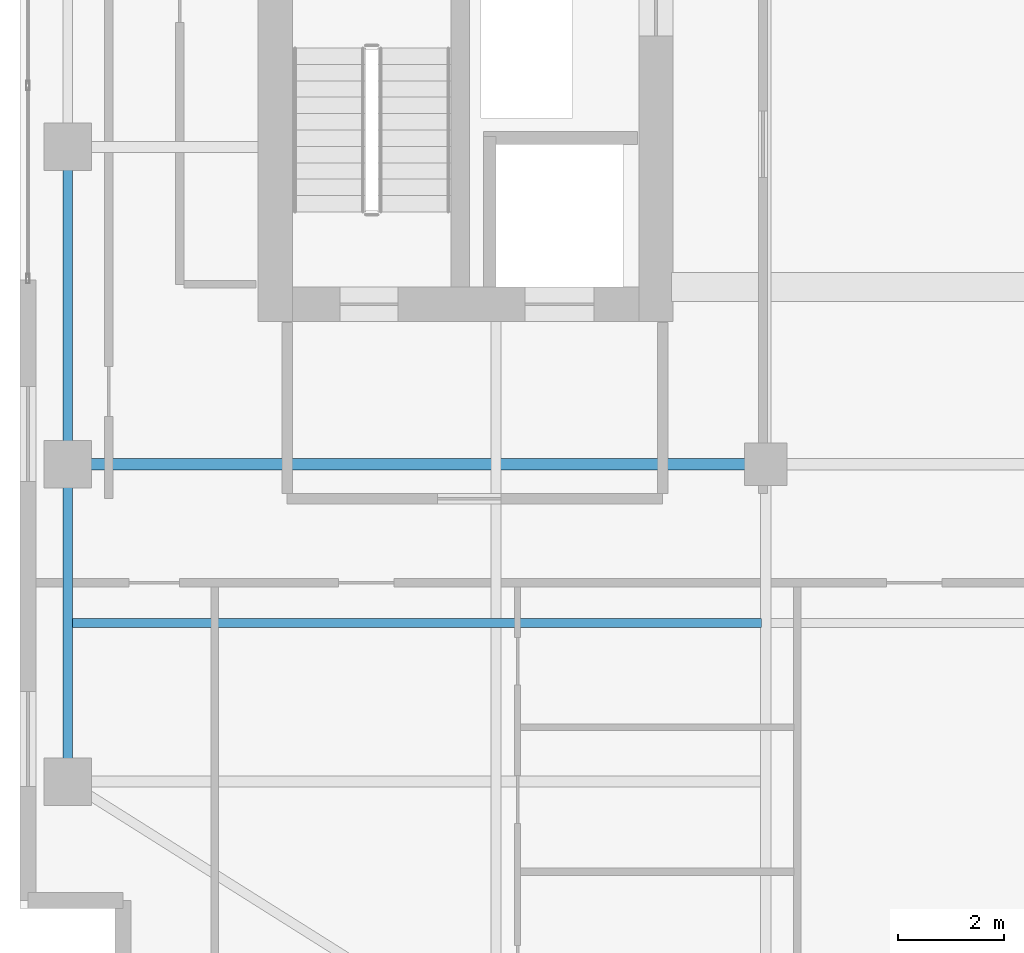
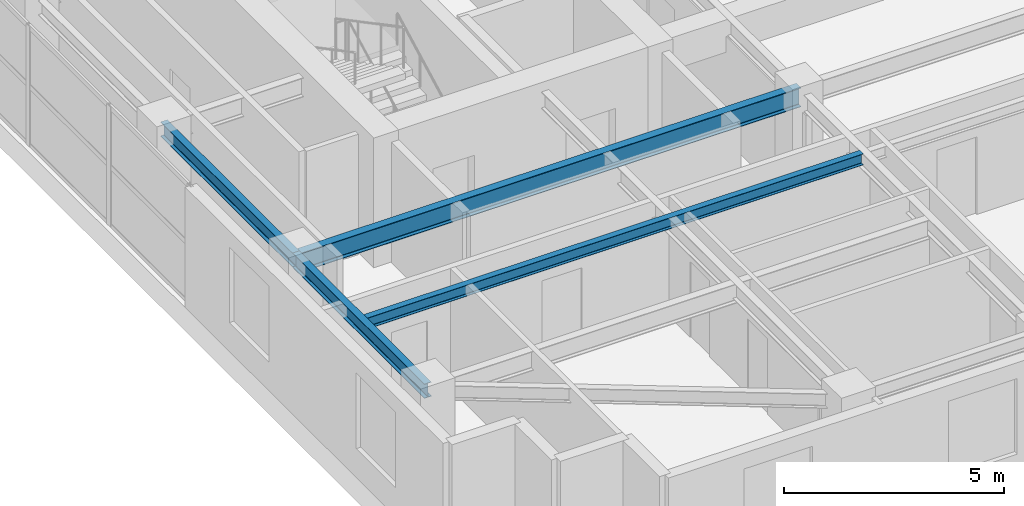
# One storey, part 3 of 24: 4 beams.
"""IFC4 building model written with IfcOpenShell, lengths in metres."""

from ifc_helpers import new_model, si_unit, direction, frame, origin, origin_2d, place, context, subcontext, project, spatial, i_section, extrude, source, transform, mapped, material, material_profile, profile_set, type_object, element, save


model = new_model("IFC4")

# Units and contexts
model_context = context("Model", 3, precision=1e-05, world=origin(), true_north=direction((0.0, 1.0)))
body_context = subcontext(model_context, "Body", "Model", "MODEL_VIEW")
ifc_project = project(units=[si_unit("LENGTHUNIT", "METRE"), si_unit("AREAUNIT", "SQUARE_METRE"), si_unit("VOLUMEUNIT", "CUBIC_METRE"), si_unit("PLANEANGLEUNIT", "RADIAN"), si_unit("MASSUNIT", "GRAM", prefix="KILO")], contexts=[model_context])

# Site, building, storey
site_placement = place(None, origin())
site = spatial("IfcSite", under=ifc_project, at=site_placement, CompositionType="ELEMENT")
building_placement = place(site_placement, origin())
building = spatial("IfcBuilding", under=site, at=building_placement, Name="Khoralis Quay Care Tower", CompositionType="ELEMENT")
storey_placement = place(building_placement, frame((0.0, 0.0, 155.699951171875)))
storey = spatial("IfcBuildingStorey", under=building, at=storey_placement, Name="L40", CompositionType="ELEMENT", Elevation=155.699951171875)

# Beams
ifc_material = material(Name="Steel S355", Category="steel")
ifc_material_profile_1 = material_profile(ifc_material, i_section(OverallWidth=0.179931640625, OverallDepth=0.39990234375, WebThickness=0.008544921875, FlangeThickness=0.013427734375, FilletRadius=0.02099609375, at=origin_2d()), Name="Steel S355")
ifc_profile_set_1 = profile_set([ifc_material_profile_1], Name="Steel S355")
beam_type_1 = type_object("IfcBeamType", Name="BM-IPE400", PredefinedType="SPANDREL", material=ifc_profile_set_1)
shared_shape_1 = source(origin(), body_context, "Body", "SweptSolid", [
    extrude(i_section(OverallWidth=0.179931640625, OverallDepth=0.39990234375, WebThickness=0.008544921875, FlangeThickness=0.013427734375, FilletRadius=0.02099609375, at=origin_2d()), origin(), (0.0, 0.0, 1.0), 6.0),
])
for number, where, z_axis, x_axis, name in (
    (1, (3.89990234375, 6.0, 3.14013671875), (0.0, 1.0, 0.0), (-1.0, 0.0, 0.0), "BM-TSP-L40-09"),
    (2, (3.89990234375, 12.0, 3.14013671875), (0.0, 1.0, 0.0), (-1.0, 0.0, 0.0), "BM-TSP-L40-10"),
):
    element("IfcBeam", number, at=place(storey_placement, frame(where, z_axis=z_axis, x_axis=x_axis)), inside=storey, type_object=beam_type_1, Name=name, PredefinedType="SPANDREL", context=body_context, shape_type="MappedRepresentation", body=[
        mapped(shared_shape_1, transform((0.0, 0.0, 0.0), scale=1.0)),
    ])
ifc_material_profile_2 = material_profile(ifc_material, i_section(OverallWidth=0.208984375, OverallDepth=0.532958984375, WebThickness=0.01025390625, FlangeThickness=0.015625, FilletRadius=0.01611328125, at=origin_2d()), Name="Steel S355")
ifc_profile_set_2 = profile_set([ifc_material_profile_2], Name="Steel S355")
beam_type_2 = type_object("IfcBeamType", Name="BM-W530X92", PredefinedType="BEAM", material=ifc_profile_set_2)
shared_shape_2 = source(origin(), body_context, "Body", "SweptSolid", [
    extrude(i_section(OverallWidth=0.208984375, OverallDepth=0.532958984375, WebThickness=0.01025390625, FlangeThickness=0.015625, FilletRadius=0.01611328125, at=origin_2d()), origin(), (0.0, 0.0, 1.0), 13.2001953125),
])
beam_1_placement = place(storey_placement, frame((3.89990234375, 12.0, 3.073486328125), z_axis=(1.0, 0.0, 0.0), x_axis=(0.0, 1.0, 0.0)))
element("IfcBeam", 3, at=beam_1_placement, inside=storey, type_object=beam_type_2, Name="BM-TGXW-L40-120", PredefinedType="BEAM", context=body_context, shape_type="MappedRepresentation", body=[
    mapped(shared_shape_2, transform((0.0, 0.0, 0.0), scale=1.0)),
])
ifc_material_profile_3 = material_profile(ifc_material, i_section(OverallWidth=0.1650390625, OverallDepth=0.31005859375, WebThickness=0.005859375, FlangeThickness=0.009765625, FilletRadius=0.011962890625, at=origin_2d()), Name="Steel S355")
ifc_profile_set_3 = profile_set([ifc_material_profile_3], Name="Steel S355")
beam_type_3 = type_object("IfcBeamType", Name="BM-W310X39", PredefinedType="JOIST", material=ifc_profile_set_3)
shared_shape_3 = source(origin(), body_context, "Body", "SweptSolid", [
    extrude(i_section(OverallWidth=0.1650390625, OverallDepth=0.31005859375, WebThickness=0.005859375, FlangeThickness=0.009765625, FilletRadius=0.011962890625, at=origin_2d()), origin(), (0.0, 0.0, 1.0), 13.0400390625),
])
beam_2_placement = place(storey_placement, frame((3.97607421875, 9.0, 3.18505859375), z_axis=(1.0, 0.0, 0.0), x_axis=(0.0, 1.0, 0.0)))
element("IfcBeam", 4, at=beam_2_placement, inside=storey, type_object=beam_type_3, Name="BM-TJS-L40-23", PredefinedType="JOIST", context=body_context, shape_type="MappedRepresentation", body=[
    mapped(shared_shape_3, transform((0.0, 0.0, 0.0), scale=1.0)),
])

save(model, "model.ifc")
